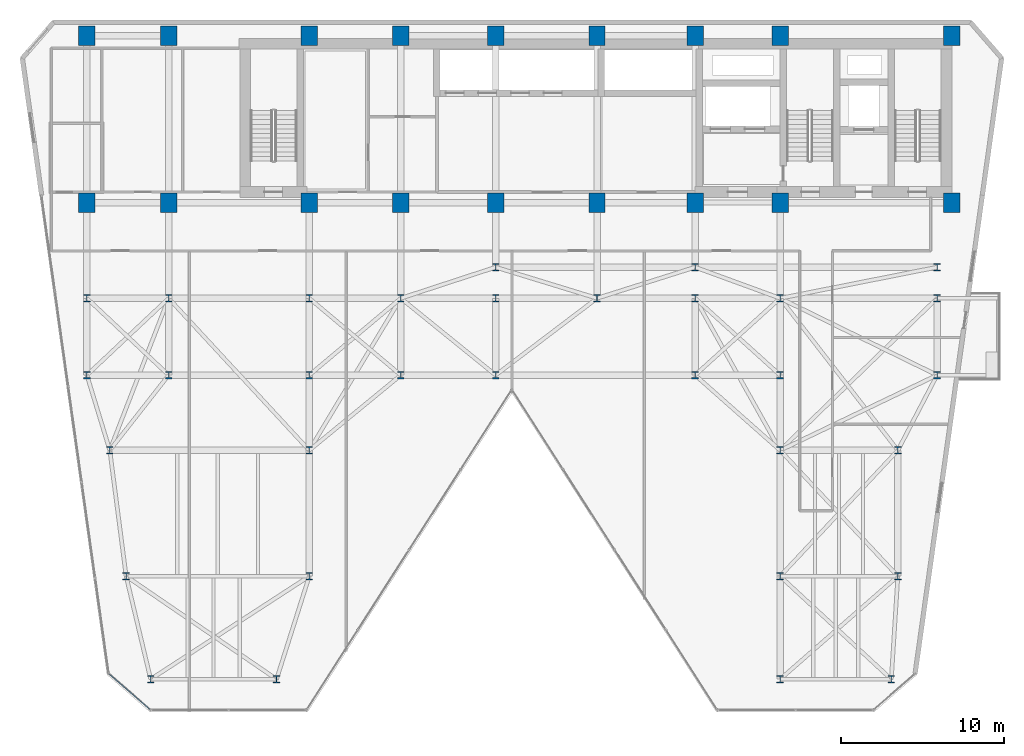
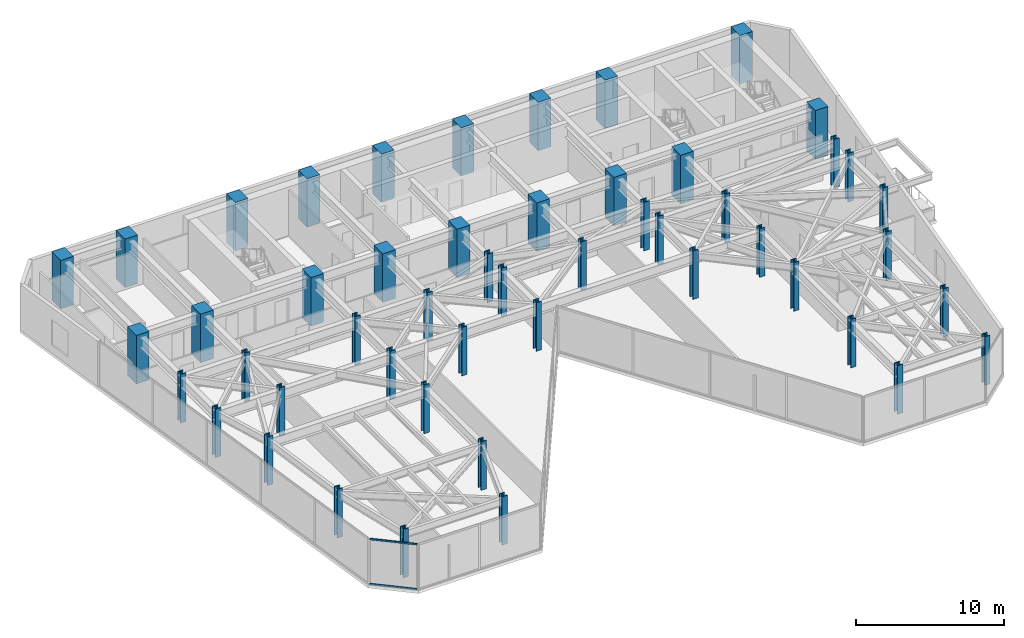
# One storey, part 1 of 26: 50 columns, 2 members, 1 element without a shape of its own.
"""IFC4 building model written with IfcOpenShell, lengths in metres."""

from ifc_helpers import new_model, si_unit, direction, frame, origin, origin_2d, place, context, subcontext, project, spatial, rectangle, hollow_rectangle, i_section, extrude, material, layer, layer_set, material_profile, profile_set, type_object, element, aggregate, save


model = new_model("IFC4")

# Units and contexts
model_context = context("Model", 3, precision=1e-05, world=origin(), true_north=direction((0.0, 1.0)))
body_context = subcontext(model_context, "Body", "Model", "MODEL_VIEW")
ifc_project = project(units=[si_unit("LENGTHUNIT", "METRE"), si_unit("AREAUNIT", "SQUARE_METRE"), si_unit("VOLUMEUNIT", "CUBIC_METRE"), si_unit("PLANEANGLEUNIT", "RADIAN"), si_unit("MASSUNIT", "GRAM", prefix="KILO")], contexts=[model_context])

# Site, building, storey
site_placement = place(None, origin())
site = spatial("IfcSite", under=ifc_project, at=site_placement, CompositionType="ELEMENT")
building_placement = place(site_placement, origin())
building = spatial("IfcBuilding", under=site, at=building_placement, Name="Kravanh Interchange Tower", CompositionType="ELEMENT")
storey_placement = place(building_placement, frame((0.0, 0.0, 128.0)))
storey = spatial("IfcBuildingStorey", under=building, at=storey_placement, Name="L30", CompositionType="ELEMENT", Elevation=128.0)

# Columns
ifc_material_1 = material(Name="Concrete C70/85", Category="concrete")
ifc_material_profile_1 = material_profile(ifc_material_1, rectangle(XDim=1.0, YDim=1.199951171875, at=origin_2d()), Name="RC1000X1200")
ifc_profile_set_1 = profile_set([ifc_material_profile_1], Name="Concrete C70/85")
column_type_1 = type_object("IfcColumnType", Name="Column RC1000X1200 Concrete C70/85", PredefinedType="COLUMN", material=ifc_profile_set_1)
for number, where, z_axis, x_axis, name in (
    (1, (66.5, 47.550048828125, 0.0), (0.0, 0.0, 1.0), (1.0, 0.0, 0.0), "L30 Column CS01"),
    (2, (56.0, 47.550048828125, 0.0), (0.0, 0.0, 1.0), (1.0, 0.0, 0.0), "L30 Column CS02"),
    (3, (66.5, 37.35009765625, 0.0), (0.0, 0.0, 1.0), (1.0, 0.0, 0.0), "L30 Column CS03"),
    (4, (56.0, 37.35009765625, 0.0), (0.0, 0.0, 1.0), (1.0, 0.0, 0.0), "L30 Column CS04"),
    (5, (50.800048828125, 47.550048828125, 0.0), (0.0, 0.0, 1.0), (1.0, 0.0, 0.0), "L30 Column CS05"),
    (6, (50.800048828125, 37.35009765625, 0.0), (0.0, 0.0, 1.0), (1.0, 0.0, 0.0), "L30 Column CS06"),
    (7, (44.800048828125, 37.35009765625, 0.0), (0.0, 0.0, 1.0), (1.0, 0.0, 0.0), "L30 Column CS07"),
    (8, (44.800048828125, 47.550048828125, 0.0), (0.0, 0.0, 1.0), (1.0, 0.0, 0.0), "L30 Column CS08"),
    (9, (38.60009765625, 37.35009765625, 0.0), (0.0, 0.0, 1.0), (1.0, 0.0, 0.0), "L30 Column CS09"),
    (10, (38.60009765625, 47.550048828125, 0.0), (0.0, 0.0, 1.0), (1.0, 0.0, 0.0), "L30 Column CS10"),
    (11, (32.800048828125, 37.35009765625, 0.0), (0.0, 0.0, 1.0), (1.0, 0.0, 0.0), "L30 Column CS11"),
    (12, (32.800048828125, 47.550048828125, 0.0), (0.0, 0.0, 1.0), (1.0, 0.0, 0.0), "L30 Column CS12"),
    (13, (27.199951171875, 37.35009765625, 0.0), (0.0, 0.0, 1.0), (1.0, 0.0, 0.0), "L30 Column CS13"),
    (14, (27.199951171875, 47.550048828125, 0.0), (0.0, 0.0, 1.0), (1.0, 0.0, 0.0), "L30 Column CS14"),
    (15, (18.60009765625, 37.35009765625, 0.0), (0.0, 0.0, 1.0), (1.0, 0.0, 0.0), "L30 Column CS17"),
    (16, (18.60009765625, 47.550048828125, 0.0), (0.0, 0.0, 1.0), (1.0, 0.0, 0.0), "L30 Column CS18"),
    (17, (13.60009765625, 37.35009765625, 0.0), (0.0, 0.0, 1.0), (1.0, 0.0, 0.0), "L30 Column CS19"),
    (18, (13.60009765625, 47.550048828125, 0.0), (0.0, 0.0, 1.0), (1.0, 0.0, 0.0), "L30 Column CS20"),
):
    element("IfcColumn", number, at=place(storey_placement, frame(where, z_axis=z_axis, x_axis=x_axis)), inside=storey, type_object=column_type_1, Name=name, PredefinedType="COLUMN", context=body_context, shape_type="SweptSolid", body=[
        extrude(rectangle(XDim=1.0, YDim=1.199951171875, at=origin_2d()), origin(), (0.0, 0.0, 1.0), 4.0),
    ])
ifc_material_2 = material(Name="Structural Steel S355", Category="steel")
ifc_material_profile_2 = material_profile(ifc_material_2, i_section(OverallWidth=0.416015625, OverallDepth=0.446044921875, WebThickness=0.0390625, FlangeThickness=0.062744140625, FilletRadius=0.030029296875, at=origin_2d()), Name="W14X342")
ifc_profile_set_2 = profile_set([ifc_material_profile_2], Name="Structural Steel S355")
column_type_2 = type_object("IfcColumnType", Name="Column W14X342 Structural Steel S355", PredefinedType="COLUMN", material=ifc_profile_set_2)
for number, where, z_axis, x_axis, name in (
    (19, (17.5, 8.199951171875, 0.0), (0.0, 0.0, 1.0), (1.0, 0.0, 0.0), "L30 Column CZ2_1"),
    (20, (13.60009765625, 26.800048828125, 0.0), (0.0, 0.0, 1.0), (1.0, 0.0, 0.0), "L30 Column CZ2_11"),
    (21, (18.60009765625, 26.800048828125, 0.0), (0.0, 0.0, 1.0), (1.0, 0.0, 0.0), "L30 Column CZ2_12"),
    (22, (27.199951171875, 26.800048828125, 0.0), (0.0, 0.0, 1.0), (1.0, 0.0, 0.0), "L30 Column CZ2_13"),
    (23, (32.800048828125, 26.800048828125, 0.0), (0.0, 0.0, 1.0), (1.0, 0.0, 0.0), "L30 Column CZ2_14"),
    (24, (38.60009765625, 26.800048828125, 0.0), (0.0, 0.0, 1.0), (1.0, 0.0, 0.0), "L30 Column CZ2_14B"),
    (25, (50.800048828125, 26.800048828125, 0.0), (0.0, 0.0, 1.0), (1.0, 0.0, 0.0), "L30 Column CZ2_15"),
    (26, (56.0, 26.800048828125, 0.0), (0.0, 0.0, 1.0), (1.0, 0.0, 0.0), "L30 Column CZ2_16"),
    (27, (65.60009765625, 26.800048828125, 0.0), (0.0, 0.0, 1.0), (1.0, 0.0, 0.0), "L30 Column CZ2_17"),
    (28, (13.60009765625, 31.5, 0.0), (0.0, 0.0, 1.0), (1.0, 0.0, 0.0), "L30 Column CZ2_18"),
    (29, (18.60009765625, 31.5, 0.0), (0.0, 0.0, 1.0), (1.0, 0.0, 0.0), "L30 Column CZ2_18B"),
    (30, (27.199951171875, 31.5, 0.0), (0.0, 0.0, 1.0), (1.0, 0.0, 0.0), "L30 Column CZ2_19"),
    (31, (25.199951171875, 8.199951171875, 0.0), (0.0, 0.0, 1.0), (1.0, 0.0, 0.0), "L30 Column CZ2_2"),
    (32, (32.800048828125, 31.5, 0.0), (0.0, 0.0, 1.0), (1.0, 0.0, 0.0), "L30 Column CZ2_20"),
    (33, (38.60009765625, 31.5, 0.0), (0.0, 0.0, 1.0), (1.0, 0.0, 0.0), "L30 Column CZ2_21"),
    (34, (44.800048828125, 31.5, 0.0), (0.0, 0.0, 1.0), (1.0, 0.0, 0.0), "L30 Column CZ2_22"),
    (35, (50.800048828125, 31.5, 0.0), (0.0, 0.0, 1.0), (1.0, 0.0, 0.0), "L30 Column CZ2_23"),
    (36, (56.0, 31.5, 0.0), (0.0, 0.0, 1.0), (1.0, 0.0, 0.0), "L30 Column CZ2_24"),
    (37, (65.60009765625, 31.5, 0.0), (0.0, 0.0, 1.0), (1.0, 0.0, 0.0), "L30 Column CZ2_25"),
    (38, (56.0, 8.199951171875, 0.0), (0.0, 0.0, 1.0), (1.0, 0.0, 0.0), "L30 Column CZ2_3"),
    (39, (62.800048828125, 8.199951171875, 0.0), (0.0, 0.0, 1.0), (1.0, 0.0, 0.0), "L30 Column CZ2_4"),
    (40, (16.0, 14.5, 0.0), (0.0, 0.0, 1.0), (1.0, 0.0, 0.0), "L30 Column CZ2_5"),
    (41, (27.199951171875, 14.5, 0.0), (0.0, 0.0, 1.0), (1.0, 0.0, 0.0), "L30 Column CZ2_5B"),
    (42, (56.0, 14.5, 0.0), (0.0, 0.0, 1.0), (1.0, 0.0, 0.0), "L30 Column CZ2_5C"),
    (43, (63.199951171875, 14.5, 0.0), (0.0, 0.0, 1.0), (1.0, 0.0, 0.0), "L30 Column CZ2_5D"),
    (44, (15.0, 22.199951171875, 0.0), (0.0, 0.0, 1.0), (1.0, 0.0, 0.0), "L30 Column CZ2_6"),
    (45, (27.199951171875, 22.199951171875, 0.0), (0.0, 0.0, 1.0), (1.0, 0.0, 0.0), "L30 Column CZ2_7"),
    (46, (56.0, 22.199951171875, 0.0), (0.0, 0.0, 1.0), (1.0, 0.0, 0.0), "L30 Column CZ2_8"),
    (47, (63.199951171875, 22.199951171875, 0.0), (0.0, 0.0, 1.0), (1.0, 0.0, 0.0), "L30 Column CZ2_9"),
    (48, (38.60009765625, 33.39990234375, 0.0), (0.0, 0.0, 1.0), (1.0, 0.0, 0.0), "L30 Column CZ2_M1"),
    (49, (50.800048828125, 33.39990234375, 0.0), (0.0, 0.0, 1.0), (1.0, 0.0, 0.0), "L30 Column CZ2_M2"),
    (50, (65.60009765625, 33.39990234375, 0.0), (0.0, 0.0, 1.0), (1.0, 0.0, 0.0), "L30 Column CZ2_M3"),
):
    element("IfcColumn", number, at=place(storey_placement, frame(where, z_axis=z_axis, x_axis=x_axis)), inside=storey, type_object=column_type_2, Name=name, PredefinedType="COLUMN", context=body_context, shape_type="SweptSolid", body=[
        extrude(i_section(OverallWidth=0.416015625, OverallDepth=0.446044921875, WebThickness=0.0390625, FlangeThickness=0.062744140625, FilletRadius=0.030029296875, at=origin_2d()), origin(), (0.0, 0.0, 1.0), 4.0),
    ])

# Curtain wall, members
ifc_material_3 = material(Name="Anodised Bronze Aluminium", Category="aluminium")
ifc_layer = layer(ifc_material_3, 0.179931640625)
ifc_layer_set = layer_set([ifc_layer], Name="Unitised Curtain Wall System CW-Z2 Mid Office")
curtain_wall_type = type_object("IfcCurtainWallType", Name="Unitised Curtain Wall System CW-Z2 Mid Office", PredefinedType="NOTDEFINED", material=ifc_layer_set)
curtain_wall_placement = place(storey_placement, origin())
curtain_wall = element("IfcCurtainWall", 51, at=curtain_wall_placement, inside=storey, type_object=curtain_wall_type, Name="L30 Unitised Curtain Wall CW-L30-07", PredefinedType="NOTDEFINED")
ifc_material_4 = material(Name="Anodised Bronze Aluminium", Category="aluminium")
ifc_material_profile_3 = material_profile(ifc_material_4, hollow_rectangle(XDim=0.06005859375, YDim=0.139892578125, WallThickness=0.00390625, at=origin_2d()), Name="ALU60X140X4")
ifc_profile_set_3 = profile_set([ifc_material_profile_3], Name="Anodised Bronze Aluminium")
member_type = type_object("IfcMemberType", Name="Curtain Wall Transom ALU60X140X4 Bronze", PredefinedType="USERDEFINED", material=ifc_profile_set_3)
member_1_placement = place(storey_placement, frame((17.444580078125, 6.359375, 0.030029296875), z_axis=(-0.754742467432, 0.656021194669, 0.0), x_axis=(-0.656021194669, -0.754742467432, 0.0)))
member_1 = element("IfcMember", 52, at=member_1_placement, type_object=member_type, Name="CW-Z2 transom 1.1", ObjectType="TRANSOM", PredefinedType="USERDEFINED", context=body_context, shape_type="SweptSolid", body=[
    extrude(hollow_rectangle(XDim=0.06005859375, YDim=0.139892578125, WallThickness=0.00390625, at=origin_2d()), origin(), (0.0, 0.0, 1.0), 3.261962890625),
])
member_2_placement = place(storey_placement, frame((17.444580078125, 6.359375, 3.719970703125), z_axis=(-0.754742467432, 0.656021194669, 0.0), x_axis=(-0.656021194669, -0.754742467432, 0.0)))
member_2 = element("IfcMember", 53, at=member_2_placement, type_object=member_type, Name="CW-Z2 transom 1.2", ObjectType="TRANSOM", PredefinedType="USERDEFINED", context=body_context, shape_type="SweptSolid", body=[
    extrude(hollow_rectangle(XDim=0.06005859375, YDim=0.139892578125, WallThickness=0.00390625, at=origin_2d()), origin(), (0.0, 0.0, 1.0), 3.261962890625),
])
aggregate(curtain_wall, [member_1, member_2])

save(model, "model.ifc")
